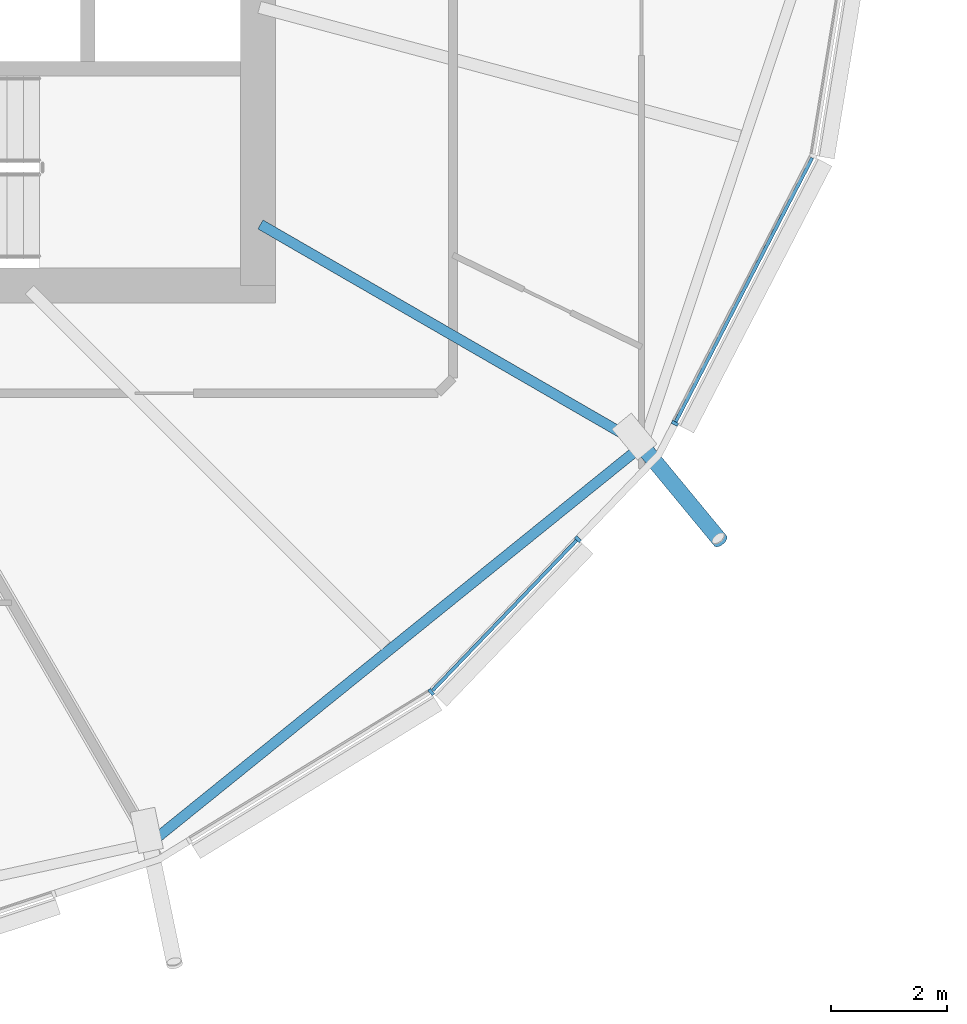
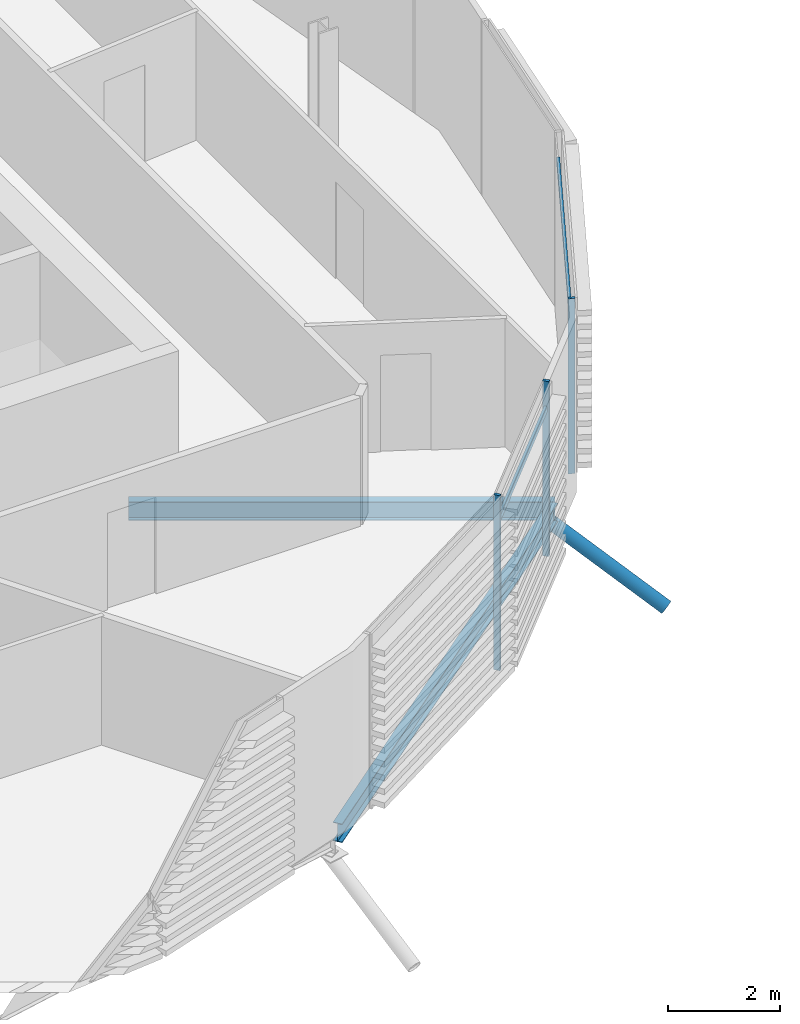
# One storey, part 6 of 37: 6 members, 2 beams, 1 element without a shape of its own.
"""IFC4 building model written with IfcOpenShell, lengths in metres."""

from ifc_helpers import new_model, si_unit, direction, frame, origin, origin_2d, place, context, subcontext, project, spatial, rectangle, hollow_circle, i_section, extrude, clip, halfspace, material, material_profile, profile_set, type_object, element, aggregate, save


model = new_model("IFC4")

# Units and contexts
model_context = context("Model", 3, precision=1e-05, world=origin(), true_north=direction((0.0, 1.0)))
body_context = subcontext(model_context, "Body", "Model", "MODEL_VIEW")
ifc_project = project(units=[si_unit("LENGTHUNIT", "METRE"), si_unit("AREAUNIT", "SQUARE_METRE"), si_unit("VOLUMEUNIT", "CUBIC_METRE"), si_unit("PLANEANGLEUNIT", "RADIAN"), si_unit("MASSUNIT", "GRAM", prefix="KILO")], contexts=[model_context])

# Site, building, storey
site_placement = place(None, origin())
site = spatial("IfcSite", under=ifc_project, at=site_placement, CompositionType="ELEMENT")
building_placement = place(site_placement, origin())
building = spatial("IfcBuilding", under=site, at=building_placement, Name="Rimbun Link Towers", CompositionType="ELEMENT")
storey_placement = place(building_placement, frame((0.0, 0.0, 162.699951171875)))
storey = spatial("IfcBuildingStorey", under=building, at=storey_placement, Name="L39", CompositionType="ELEMENT", Elevation=162.699951171875)

# Curtain wall, members
ifc_material_1 = material(Name="Aluminium 6063-T6 and low-iron glass", Category="aluminium")
curtain_wall_type = type_object("IfcCurtainWallType", Name="CW1-Z3 unitised vision wall (zone 3)", PredefinedType="NOTDEFINED", material=ifc_material_1)
curtain_wall_placement = place(storey_placement, origin())
curtain_wall = element("IfcCurtainWall", 1, at=curtain_wall_placement, inside=storey, type_object=curtain_wall_type, Name="CW1 L39 T1", PredefinedType="NOTDEFINED")
ifc_material_2 = material(Name="Aluminium 6063-T6", Category="aluminium")
ifc_material_profile_1 = material_profile(ifc_material_2, rectangle(XDim=0.1201171875, YDim=0.06005859375, at=origin_2d()), Name="MULLION 60X120")
ifc_profile_set_1 = profile_set([ifc_material_profile_1], Name="Aluminium 6063-T6")
member_type_1 = type_object("IfcMemberType", Name="CW1 mullion 60X120", PredefinedType="MULLION", material=ifc_profile_set_1)
member_1_placement = place(storey_placement, frame((-16.76953125, -14.989501953125, 0.0), z_axis=(0.0, 0.0, 1.0), x_axis=(0.627675785623, -0.778474860315, 0.0)))
member_1 = element("IfcMember", 2, at=member_1_placement, type_object=member_type_1, Name="CW1 mullion", PredefinedType="MULLION", context=body_context, shape_type="SweptSolid", body=[
    extrude(rectangle(XDim=0.1201171875, YDim=0.06005859375, at=origin_2d()), origin(), (0.0, 0.0, 1.0), 3.800048828125),
])
member_2_placement = place(storey_placement, frame((-14.25048828125, -12.362548828125, 0.0), z_axis=(0.0, 0.0, 1.0), x_axis=(0.721847376977, -0.692052284405, 0.0)))
member_2 = element("IfcMember", 3, at=member_2_placement, type_object=member_type_1, Name="CW1 mullion", PredefinedType="MULLION", context=body_context, shape_type="SweptSolid", body=[
    extrude(rectangle(XDim=0.1201171875, YDim=0.06005859375, at=origin_2d()), origin(), (0.0, 0.0, 1.0), 3.800048828125),
])
member_3_placement = place(storey_placement, frame((-12.580810546875, -10.3720703125, 0.0), z_axis=(0.0, 0.0, 1.0), x_axis=(0.888144396677, -0.459564501078, 0.0)))
member_3 = element("IfcMember", 4, at=member_3_placement, type_object=member_type_1, Name="CW1 mullion", PredefinedType="MULLION", context=body_context, shape_type="SweptSolid", body=[
    extrude(rectangle(XDim=0.1201171875, YDim=0.06005859375, at=origin_2d()), origin(), (0.0, 0.0, 1.0), 3.800048828125),
])
ifc_material_3 = material(Name="Aluminium 6063-T6", Category="aluminium")
ifc_material_profile_2 = material_profile(ifc_material_3, rectangle(XDim=0.06005859375, YDim=0.1201171875, at=origin_2d()), Name="TRANSOM 60X120")
ifc_profile_set_2 = profile_set([ifc_material_profile_2], Name="Aluminium 6063-T6")
member_type_2 = type_object("IfcMemberType", Name="CW1 transom 60X120", PredefinedType="USERDEFINED", material=ifc_profile_set_2)
member_4_placement = place(storey_placement, frame((-14.272705078125, -12.3828125, 3.199951171875), z_axis=(-0.692049349553, -0.721850190679, 0.0), x_axis=(0.721850190679, -0.692049349553, 0.0)))
member_4 = element("IfcMember", 5, at=member_4_placement, type_object=member_type_2, Name="CW1 transom", ObjectType="TRANSOM", PredefinedType="USERDEFINED", context=body_context, shape_type="SweptSolid", body=[
    extrude(rectangle(XDim=0.06005859375, YDim=0.1201171875, at=origin_2d()), origin(), (0.0, 0.0, 1.0), 3.57177734375),
])
member_5_placement = place(storey_placement, frame((-10.22314453125, -5.811279296875, 3.199951171875), z_axis=(-0.459568651835, -0.888142248883, 0.0), x_axis=(0.888142248883, -0.459568651835, 0.0)))
member_5 = element("IfcMember", 6, at=member_5_placement, type_object=member_type_2, Name="CW1 transom", ObjectType="TRANSOM", PredefinedType="USERDEFINED", context=body_context, shape_type="SweptSolid", body=[
    extrude(rectangle(XDim=0.06005859375, YDim=0.1201171875, at=origin_2d()), origin(), (0.0, 0.0, 1.0), 5.104248046875),
])
aggregate(curtain_wall, [member_1, member_2, member_3, member_4, member_5])

# Member
ifc_material_4 = material(Name="Steel S355J2H", Category="steel")
ifc_material_profile_3 = material_profile(ifc_material_4, hollow_circle(Radius=0.136474609375, WallThickness=0.012451171875, at=origin_2d()), Name="CHS 273x12.5")
ifc_profile_set_3 = profile_set([ifc_material_profile_3], Name="Steel S355J2H")
member_type_3 = type_object("IfcMemberType", Name="Floor edge link CHS 273x12.5", PredefinedType="BRACE", material=ifc_profile_set_3)
member_6_placement = place(storey_placement, frame((-13.176025390625, -10.7236328125, -0.6728515625), z_axis=(0.54564381761, -0.661433385719, -0.514566517139), x_axis=(0.771395448411, 0.636356081271, 0.0)))
element("IfcMember", 7, at=member_6_placement, inside=storey, type_object=member_type_3, Name="Floor edge link T1 L39 22", PredefinedType="BRACE", context=body_context, shape_type="Clipping", body=[
    clip(extrude(hollow_circle(Radius=0.136474609375, WallThickness=0.012451171875, at=origin_2d()), frame((0.0, 0.0, -0.474365234375)), (0.0, 0.0, 1.0), 2.99609375), halfspace(frame((0.0, 0.0, -0.222412109375), z_axis=(0.0, 0.857450464715, -0.514566517139)), False)),
])

# Beams
ifc_material_5 = material(Name="Steel S355J2", Category="steel")
ifc_material_profile_4 = material_profile(ifc_material_5, i_section(OverallWidth=0.177978515625, OverallDepth=0.406494140625, WebThickness=0.0078125, FlangeThickness=0.0126953125, at=origin_2d()), Name="UB 406x178x60")
ifc_profile_set_4 = profile_set([ifc_material_profile_4], Name="Steel S355J2")
beam_type = type_object("IfcBeamType", Name="UB 406x178x60", PredefinedType="BEAM", material=ifc_profile_set_4)
beam_1_placement = place(storey_placement, frame((-19.70458984375, -6.954345703125, -0.353271484375), z_axis=(0.866013068262, -0.500021365143, 0.0), x_axis=(0.500021365143, 0.866013068262, 0.0)))
element("IfcBeam", 8, at=beam_1_placement, inside=storey, type_object=beam_type, Name="Radial beam T1 L39 22", PredefinedType="BEAM", context=body_context, shape_type="SweptSolid", body=[
    extrude(i_section(OverallWidth=0.177978515625, OverallDepth=0.406494140625, WebThickness=0.0078125, FlangeThickness=0.0126953125, at=origin_2d()), origin(), (0.0, 0.0, 1.0), 7.588623046875),
])
beam_2_placement = place(storey_placement, frame((-21.507080078125, -17.511474609375, -0.353271484375), z_axis=(0.777982483739, 0.628285965938, 0.0), x_axis=(-0.628285965938, 0.777982483739, 0.0)))
element("IfcBeam", 9, at=beam_2_placement, inside=storey, type_object=beam_type, Name="Edge beam T1 L39 20-22", PredefinedType="BEAM", context=body_context, shape_type="SweptSolid", body=[
    extrude(i_section(OverallWidth=0.177978515625, OverallDepth=0.406494140625, WebThickness=0.0078125, FlangeThickness=0.0126953125, at=origin_2d()), origin(), (0.0, 0.0, 1.0), 10.667724609375),
])

save(model, "model.ifc")
